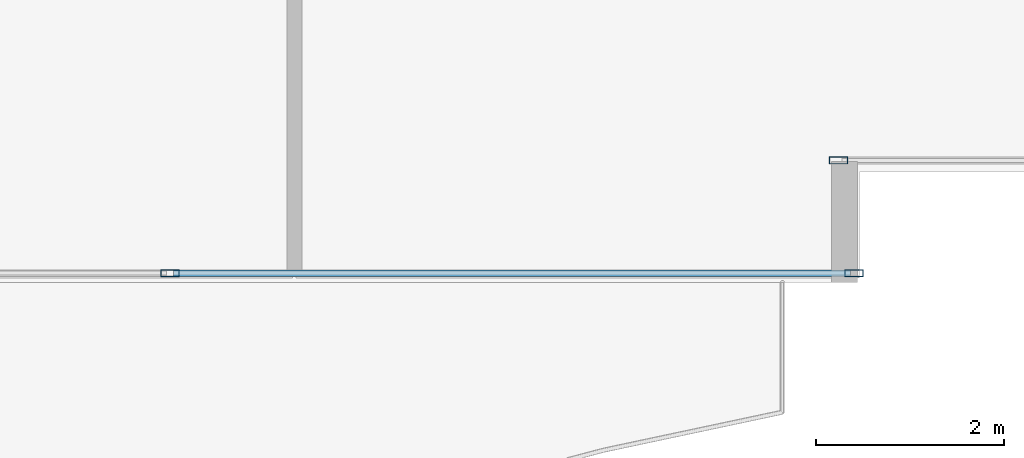
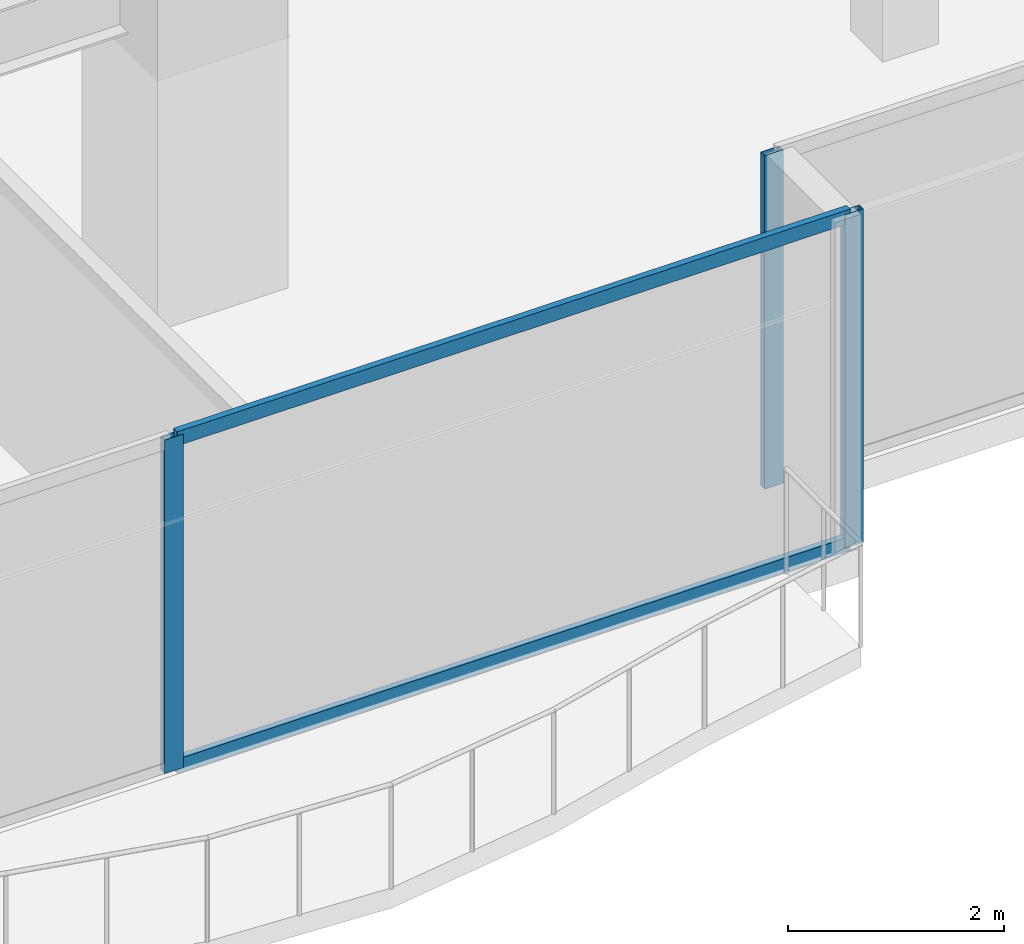
# One storey, part 4 of 32: 5 members, 2 elements without a shape of their own.
"""IFC4 building model written with IfcOpenShell, lengths in metres."""

import ifcopenshell
import ifcopenshell.guid

model = None  # the IFC model being written
_history = None  # IfcOwnerHistory: only IFC2X3 demands one
_inside = {}  # id of a spatial element -> (the spatial element, [elements in it])
_under = {}  # id of a project, library or spatial element -> (it, [spatial elements below it])
_declared = {}  # id of a project -> (the project, [libraries it declares])
_typed = {}  # id of a type object -> (the type object, [elements of that type])
_made_of = {}  # id of a material, layer set ... -> (it, [elements and type objects made of it])


def new_model(schema):
    """Start an empty IFC model of exactly this schema.

    Asked for "IFC4X3", IfcOpenShell would pick the latest addendum, in which some entities
    have other attributes; the version numbers below select the first issue.
    IFC2X3 requires an IfcOwnerHistory on every rooted entity: one is made here for all.
    """
    global model, _history
    if schema == "IFC4X3":
        model = ifcopenshell.file(schema_version=(4, 3, 0, 0))
    else:
        model = ifcopenshell.file(schema=schema)
    _inside.clear()
    _under.clear()
    _declared.clear()
    _typed.clear()
    _made_of.clear()
    _history = None
    if model.schema == "IFC2X3":
        org = make("IfcOrganization", Name="unknown")
        user = make(
            "IfcPersonAndOrganization",
            ThePerson=make("IfcPerson", FamilyName="unknown"),
            TheOrganization=org,
        )
        app = make(
            "IfcApplication",
            ApplicationDeveloper=org,
            Version="unknown",
            ApplicationFullName="unknown",
            ApplicationIdentifier="unknown",
        )
        _history = make(
            "IfcOwnerHistory",
            OwningUser=user,
            OwningApplication=app,
            ChangeAction="ADDED",
            CreationDate=0,
        )
    return model


def make(cls, **values):
    """One entity of the class cls with the attributes given. An attribute that is None is left unset."""
    return model.create_entity(
        cls, **{name: value for name, value in values.items() if value is not None}
    )


def rooted(cls, **values):
    """An entity with a GlobalId (a new one), such as an element, a storey or a relation."""
    return make(cls, GlobalId=ifcopenshell.guid.new(), OwnerHistory=_history, **values)


def si_unit(unit_type, name, prefix=None):
    """IfcSIUnit, for example si_unit("LENGTHUNIT", "METRE", prefix="MILLI")."""
    return make("IfcSIUnit", UnitType=unit_type, Prefix=prefix, Name=name)


def assignment(units):
    """IfcUnitAssignment: the units of a project."""
    return None if units is None else make("IfcUnitAssignment", Units=units)


def point(xyz):
    """IfcCartesianPoint."""
    return None if xyz is None else make("IfcCartesianPoint", Coordinates=xyz)


def direction(xyz):
    """IfcDirection."""
    return None if xyz is None else make("IfcDirection", DirectionRatios=xyz)


def frame(location, z_axis=None, x_axis=None):
    """IfcAxis2Placement3D, a coordinate frame: its origin and axes. An axis left out is left unset."""
    return make(
        "IfcAxis2Placement3D",
        Location=point(location),
        Axis=direction(z_axis),
        RefDirection=direction(x_axis),
    )


def frame_2d(location, x_axis=None):
    """IfcAxis2Placement2D, a coordinate frame in the plane: its origin and x axis."""
    return make(
        "IfcAxis2Placement2D", Location=point(location), RefDirection=direction(x_axis)
    )


def origin():
    """The frame at (0, 0, 0) with its axes left unset."""
    return frame((0.0, 0.0, 0.0))


def origin_2d():
    """The frame at (0, 0) in the plane with its x axis left unset."""
    return frame_2d((0.0, 0.0))


def place(relative_to, where):
    """IfcLocalPlacement: puts the frame where relative to a parent placement (None: the world)."""
    return make(
        "IfcLocalPlacement", PlacementRelTo=relative_to, RelativePlacement=where
    )


def context(
    kind, dimensions, precision=None, world=None, true_north=None, identifier=None
):
    """IfcGeometricRepresentationContext, for example the 3D "Model" context."""
    return make(
        "IfcGeometricRepresentationContext",
        ContextIdentifier=identifier,
        ContextType=kind,
        CoordinateSpaceDimension=dimensions,
        Precision=precision,
        WorldCoordinateSystem=world,
        TrueNorth=true_north,
    )


def subcontext(parent, identifier, kind, view, scale=None):
    """IfcGeometricRepresentationSubContext, for example "Body" below "Model"."""
    return make(
        "IfcGeometricRepresentationSubContext",
        ContextIdentifier=identifier,
        ContextType=kind,
        ParentContext=parent,
        TargetScale=scale,
        TargetView=view,
    )


def project(units=None, contexts=None):
    """IfcProject with its units and contexts."""
    return rooted(
        "IfcProject",
        Name="project",
        RepresentationContexts=contexts,
        UnitsInContext=assignment(units),
    )


def spatial(cls, under=None, at=None, **own):
    """A site, building, storey or space (cls), placed at a placement, below another one or the project."""
    s = rooted(cls, ObjectPlacement=at, **own)
    if under is not None:
        _under.setdefault(under.id(), (under, []))[1].append(s)
    return s


def profile(cls, at=None, kind="AREA", **sizes):
    """A parametric profile (cls). Its sizes go by their IFC names, for example OverallWidth=200.0."""
    return make(cls, ProfileType=kind, Position=at, **sizes)


def hollow_rectangle(**sizes):
    """IfcRectangleHollowProfileDef."""
    return profile("IfcRectangleHollowProfileDef", **sizes)


def extrude(swept, where, along, depth):
    """IfcExtrudedAreaSolid: the profile swept, set in the frame where, extruded along a direction by depth."""
    return make(
        "IfcExtrudedAreaSolid",
        SweptArea=swept,
        Position=where,
        ExtrudedDirection=direction(along),
        Depth=depth,
    )


def shape(context_of_items, identifier, shape_type, items):
    """IfcShapeRepresentation: the items that make up one representation, for example the "Body"."""
    return make(
        "IfcShapeRepresentation",
        ContextOfItems=context_of_items,
        RepresentationIdentifier=identifier,
        RepresentationType=shape_type,
        Items=items,
    )


def source(mapping_origin, context_of_items, identifier, shape_type, items):
    """IfcRepresentationMap: a shape defined once, which mapped items show again and again."""
    return make(
        "IfcRepresentationMap",
        MappingOrigin=mapping_origin,
        MappedRepresentation=shape(context_of_items, identifier, shape_type, items),
    )


def transform(
    local_origin,
    x_axis=None,
    y_axis=None,
    z_axis=None,
    scale=None,
    scale2=None,
    scale3=None,
    uniform=True,
):
    """IfcCartesianTransformationOperator3D, or its non-uniform kind. x_axis, y_axis, z_axis: its Axis1, 2, 3."""
    if uniform:
        return make(
            "IfcCartesianTransformationOperator3D",
            Axis1=direction(x_axis),
            Axis2=direction(y_axis),
            LocalOrigin=point(local_origin),
            Scale=scale,
            Axis3=direction(z_axis),
        )
    return make(
        "IfcCartesianTransformationOperator3DnonUniform",
        Axis1=direction(x_axis),
        Axis2=direction(y_axis),
        LocalOrigin=point(local_origin),
        Scale=scale,
        Axis3=direction(z_axis),
        Scale2=scale2,
        Scale3=scale3,
    )


def mapped(mapping_source, mapping_target):
    """IfcMappedItem: shows the shape of a source again, moved by a transform."""
    return make(
        "IfcMappedItem", MappingSource=mapping_source, MappingTarget=mapping_target
    )


def material(Name=None, Category=None):
    """IfcMaterial."""
    return make("IfcMaterial", Name=Name, Category=Category)


def layer(
    of_material, thickness, ventilated=None, Name=None, Category=None, Priority=None
):
    """IfcMaterialLayer: one layer of a wall or slab, of a material (None: an air gap)."""
    return make(
        "IfcMaterialLayer",
        Material=of_material,
        LayerThickness=thickness,
        IsVentilated=ventilated,
        Name=Name,
        Category=Category,
        Priority=Priority,
    )


def layer_set(layers, Name=None):
    """IfcMaterialLayerSet."""
    return make("IfcMaterialLayerSet", MaterialLayers=layers, LayerSetName=Name)


def material_profile(
    of_material, cross_section, Name=None, Category=None, Priority=None
):
    """IfcMaterialProfile: a cross section and its material."""
    return make(
        "IfcMaterialProfile",
        Name=Name,
        Material=of_material,
        Profile=cross_section,
        Priority=Priority,
        Category=Category,
    )


def profile_set(profiles, Name=None, composite=None):
    """IfcMaterialProfileSet."""
    return make(
        "IfcMaterialProfileSet",
        Name=Name,
        MaterialProfiles=profiles,
        CompositeProfile=composite,
    )


def made_of(thing, what):
    """Note that an element or type object is made of a material, layer set ...; save() writes the relation."""
    if what is not None:
        _made_of.setdefault(what.id(), (what, []))[1].append(thing)
    return thing


def type_object(cls, material=None, **own):
    """A type object (cls), such as IfcWallType, which elements share."""
    return made_of(rooted(cls, **own), material)


def type_shapes(of_type, sources):
    """Give a type object the sources (RepresentationMaps) that its elements show as mapped items."""
    of_type.RepresentationMaps = sources


def element(
    cls,
    number,
    at=None,
    inside=None,
    cuts=None,
    type_object=None,
    material=None,
    context=None,
    identifier="Body",
    shape_type=None,
    held_by="IfcProductDefinitionShape",
    body=None,
    shapes=None,
    **own,
):
    """One element of the class cls, such as IfcWall. Its Tag is "e" and its number.

    at: its placement. inside: the storey or other place that contains it. cuts: it is an
    opening in that element (IfcRelVoidsElement). A single representation is given by context,
    identifier, shape_type and body (its items); several are given by shapes. held_by: the class
    of the entity that holds the representations. save() writes the other relations.
    """
    e = rooted(cls, Tag="e%d" % number, ObjectPlacement=at, **own)
    if body is not None:
        shapes = [shape(context, identifier, shape_type, body)]
    if shapes is not None:
        e.Representation = make(held_by, Representations=shapes)
    if inside is not None:
        _inside.setdefault(inside.id(), (inside, []))[1].append(e)
    if cuts is not None:
        rooted(
            "IfcRelVoidsElement", RelatingBuildingElement=cuts, RelatedOpeningElement=e
        )
    if type_object is not None:
        _typed.setdefault(type_object.id(), (type_object, []))[1].append(e)
    return made_of(e, material)


def aggregate(whole, parts):
    """IfcRelAggregates: a whole, such as a stair, and the parts it consists of."""
    return rooted("IfcRelAggregates", RelatingObject=whole, RelatedObjects=parts)


def save(model, path):
    """Write the relations noted so far, then the file.

    IfcRelAggregates (storeys below a building ...), IfcRelContainedInSpatialStructure (elements
    in a storey), IfcRelDefinesByType, IfcRelAssociatesMaterial and IfcRelDeclares: one each for
    every whole, place, type object, material and project.
    """
    for whole, parts in _under.values():
        aggregate(whole, parts)
    for where, things in _inside.values():
        rooted(
            "IfcRelContainedInSpatialStructure",
            RelatedElements=things,
            RelatingStructure=where,
        )
    for kind, things in _typed.values():
        rooted("IfcRelDefinesByType", RelatedObjects=things, RelatingType=kind)
    for what, things in _made_of.values():
        rooted("IfcRelAssociatesMaterial", RelatedObjects=things, RelatingMaterial=what)
    for by, libraries in _declared.values():
        rooted("IfcRelDeclares", RelatingContext=by, RelatedDefinitions=libraries)
    model.write(path)


model = new_model("IFC4")

# Units and contexts
model_context = context("Model", 3, precision=1e-05, world=origin(), true_north=direction((0.0, 1.0)))
body_context = subcontext(model_context, "Body", "Model", "MODEL_VIEW")
ifc_project = project(units=[si_unit("LENGTHUNIT", "METRE"), si_unit("AREAUNIT", "SQUARE_METRE"), si_unit("VOLUMEUNIT", "CUBIC_METRE"), si_unit("PLANEANGLEUNIT", "RADIAN"), si_unit("MASSUNIT", "GRAM", prefix="KILO")], contexts=[model_context])

# Site, building, storey
site_placement = place(None, origin())
site = spatial("IfcSite", under=ifc_project, at=site_placement, CompositionType="ELEMENT")
building_placement = place(site_placement, origin())
building = spatial("IfcBuilding", under=site, at=building_placement, Name="Haelvirn Gate Laboratories", CompositionType="ELEMENT")
storey_placement = place(building_placement, frame((0.0, 0.0, 33.39990234375)))
storey = spatial("IfcBuildingStorey", under=building, at=storey_placement, Name="L08", CompositionType="ELEMENT", Elevation=33.39990234375)

# Curtain wall, members
ifc_material_1 = material(Name="Anodised bronze unitised aluminium & triple low-E glass", Category="aluminium")
ifc_layer = layer(ifc_material_1, 0.18408203125, Name="CW-SYS-2")
ifc_layer_set = layer_set([ifc_layer], Name="Anodised bronze unitised aluminium & triple low-E glass")
curtain_wall_type = type_object("IfcCurtainWallType", Name="CW-SYS-2", PredefinedType="NOTDEFINED", material=ifc_layer_set)
curtain_wall_1_placement = place(storey_placement, origin())
curtain_wall_1 = element("IfcCurtainWall", 1, at=curtain_wall_1_placement, inside=storey, type_object=curtain_wall_type, Name="L08 Unitised Curtain Wall CW-L08-P0-E00-2", PredefinedType="NOTDEFINED")
ifc_material_2 = material(Name="Extruded aluminium 6063-T6 (anodised bronze)", Category="aluminium")
ifc_material_profile_1 = material_profile(ifc_material_2, hollow_rectangle(XDim=0.074951171875, YDim=0.199951171875, WallThickness=0.0048828125, at=origin_2d()), Name="CWM-200x75x5")
ifc_profile_set_1 = profile_set([ifc_material_profile_1], Name="Extruded aluminium 6063-T6 (anodised bronze)")
member_type_1 = type_object("IfcMemberType", Name="CWM-T200", PredefinedType="MULLION", material=ifc_profile_set_1)
shared_shape_1 = source(origin(), body_context, "Body", "SweptSolid", [
    extrude(hollow_rectangle(XDim=0.074951171875, YDim=0.199951171875, WallThickness=0.0048828125, at=origin_2d()), origin(), (0.0, 0.0, 1.0), 3.780029296875),
])
type_shapes(member_type_1, [shared_shape_1])
member_1_placement = place(storey_placement, frame((18.074951171875, 0.10009765625, 0.0), z_axis=(0.0, 0.0, 1.0), x_axis=(0.0, 1.0, 0.0)))
member_1 = element("IfcMember", 2, at=member_1_placement, type_object=member_type_1, Name="CW2 mullion 2", PredefinedType="MULLION", context=body_context, shape_type="MappedRepresentation", body=[
    mapped(shared_shape_1, transform((0.0, 0.0, 0.0), scale=1.0)),
])
member_2_placement = place(storey_placement, frame((25.362548828125, 0.10009765625, 0.0), z_axis=(0.0, 0.0, 1.0), x_axis=(0.0, 1.0, 0.0)))
member_2 = element("IfcMember", 3, at=member_2_placement, type_object=member_type_1, Name="CW2 mullion 3", PredefinedType="MULLION", context=body_context, shape_type="MappedRepresentation", body=[
    mapped(shared_shape_1, transform((0.0, 0.0, 0.0), scale=1.0)),
])

# Curtain wall, member
curtain_wall_2_placement = place(storey_placement, origin())
curtain_wall_2 = element("IfcCurtainWall", 4, at=curtain_wall_2_placement, inside=storey, type_object=curtain_wall_type, Name="L08 Unitised Curtain Wall CW-L08-P0-E02-1", PredefinedType="NOTDEFINED")
member_3_placement = place(storey_placement, frame((25.197509765625, 1.300048828125, 0.0), z_axis=(0.0, 0.0, 1.0), x_axis=(0.0, 1.0, 0.0)))
member_3 = element("IfcMember", 5, at=member_3_placement, type_object=member_type_1, Name="CW2 mullion 1", PredefinedType="MULLION", context=body_context, shape_type="MappedRepresentation", body=[
    mapped(shared_shape_1, transform((0.0, 0.0, 0.0), scale=1.0)),
])
aggregate(curtain_wall_2, [member_3])

# Member
ifc_material_profile_2 = material_profile(ifc_material_2, hollow_rectangle(XDim=0.070068359375, YDim=0.159912109375, WallThickness=0.0048828125, at=origin_2d()), Name="CWT-160x70x5")
ifc_profile_set_2 = profile_set([ifc_material_profile_2], Name="Extruded aluminium 6063-T6 (anodised bronze)")
member_type_2 = type_object("IfcMemberType", Name="CWT-T160", PredefinedType="USERDEFINED", material=ifc_profile_set_2)
shared_shape_2 = source(origin(), body_context, "Body", "SweptSolid", [
    extrude(hollow_rectangle(XDim=0.070068359375, YDim=0.159912109375, WallThickness=0.0048828125, at=origin_2d()), origin(), (0.0, 0.0, 1.0), 7.21240234375),
])
type_shapes(member_type_2, [shared_shape_2])
member_4_placement = place(storey_placement, frame((18.112548828125, 0.10009765625, 0.03515625), z_axis=(1.0, 0.0, 0.0), x_axis=(0.0, 1.0, 0.0)))
member_4 = element("IfcMember", 6, at=member_4_placement, type_object=member_type_2, Name="CW2 transom 2.1", ObjectType="TRANSOM", PredefinedType="USERDEFINED", context=body_context, shape_type="MappedRepresentation", body=[
    mapped(shared_shape_2, transform((0.0, 0.0, 0.0), scale=1.0)),
])

member_5_placement = place(storey_placement, frame((18.112548828125, 0.10009765625, 3.7451171875), z_axis=(1.0, 0.0, 0.0), x_axis=(0.0, 1.0, 0.0)))
member_5 = element("IfcMember", 7, at=member_5_placement, type_object=member_type_2, Name="CW2 transom 2.2", ObjectType="TRANSOM", PredefinedType="USERDEFINED", context=body_context, shape_type="MappedRepresentation", body=[
    mapped(shared_shape_2, transform((0.0, 0.0, 0.0), scale=1.0)),
])

aggregate(curtain_wall_1, [member_1, member_2, member_4, member_5])

save(model, "model.ifc")
